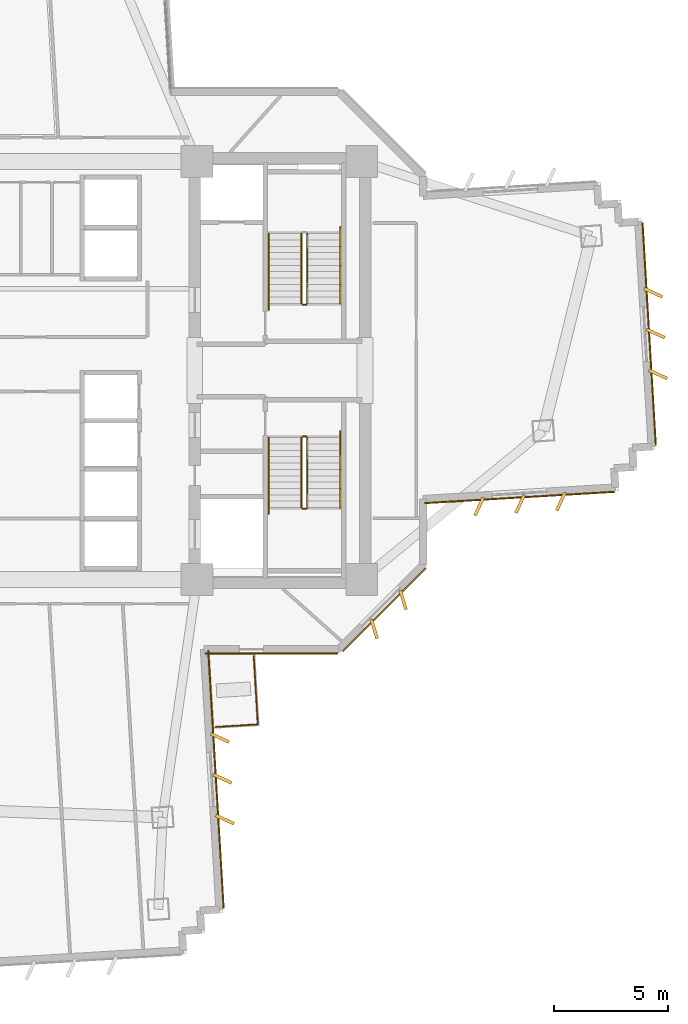
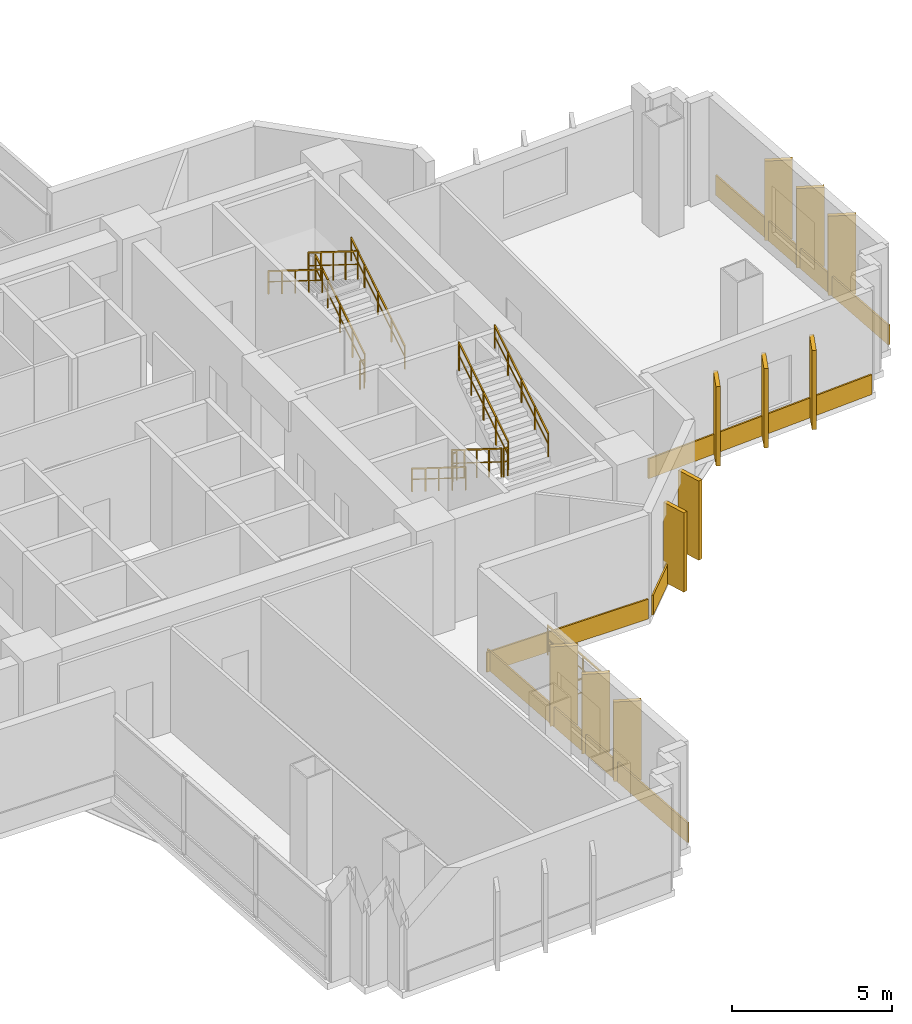
# One storey, part 13 of 15: 16 coverings, 13 railings.
"""IFC4 building model written with IfcOpenShell, lengths in metres."""

from ifc_helpers import new_model, si_unit, direction, frame, origin, origin_2d, place, context, subcontext, project, spatial, rectangle, extrude, source, transform, mapped, material, layer, layer_set, type_object, element, save


model = new_model("IFC4")

# Units and contexts
model_context = context("Model", 3, precision=1e-05, world=origin(), true_north=direction((0.0, 1.0)))
body_context = subcontext(model_context, "Body", "Model", "MODEL_VIEW")
ifc_project = project(units=[si_unit("LENGTHUNIT", "METRE"), si_unit("AREAUNIT", "SQUARE_METRE"), si_unit("VOLUMEUNIT", "CUBIC_METRE"), si_unit("PLANEANGLEUNIT", "RADIAN"), si_unit("MASSUNIT", "GRAM", prefix="KILO")], contexts=[model_context])

# Site, building, storey
site_placement = place(None, origin())
site = spatial("IfcSite", under=ifc_project, at=site_placement, CompositionType="ELEMENT")
building_placement = place(site_placement, origin())
building = spatial("IfcBuilding", under=site, at=building_placement, Name="Zahravan Cultural Tower", CompositionType="ELEMENT")
storey_placement = place(building_placement, frame((0.0, 0.0, 71.10009765625)))
storey = spatial("IfcBuildingStorey", under=building, at=storey_placement, Name="L15", CompositionType="ELEMENT", Elevation=71.10009765625)

# Railings
ifc_material_1 = material(Name="Steel ASTM A572 Grade 50", Category="steel")
railing_type_1 = type_object("IfcRailingType", Name="RL-BAL-1150", PredefinedType="BALUSTRADE", material=ifc_material_1)
railing_1_placement = place(storey_placement, frame((45.776611328125, 11.425537109375, 0.0)))
element("IfcRailing", 1, at=railing_1_placement, inside=storey, type_object=railing_type_1, Name="L15 Edge Balustrade GRD-TR-L15-SE-01", PredefinedType="BALUSTRADE", context=body_context, shape_type="SweptSolid", body=[
    extrude(rectangle(XDim=0.05, YDim=0.05, at=origin_2d()), frame((0.0, 0.0, 1.125), z_axis=(-0.99821980282, -0.059642478635, 0.0), x_axis=(0.059642478635, -0.99821980282, 0.0)), (0.0, 0.0, 1.0), 1.85009765625),
    extrude(rectangle(XDim=0.032, YDim=0.032, at=origin_2d()), frame((0.0, 0.0, 0.597900390625), z_axis=(-0.99821980282, -0.059642478635, 0.0), x_axis=(0.059642478635, -0.99821980282, 0.0)), (0.0, 0.0, 1.0), 1.85009765625),
    extrude(rectangle(XDim=0.04, YDim=0.04, at=origin_2d()), origin(), (0.0, 0.0, 1.0), 1.14990234375),
    extrude(rectangle(XDim=0.04, YDim=0.04, at=origin_2d()), frame((-0.92333984375, -0.05517578125, 0.0)), (0.0, 0.0, 1.0), 1.14990234375),
    extrude(rectangle(XDim=0.04, YDim=0.04, at=origin_2d()), frame((-1.846923828125, -0.1103515625, 0.0)), (0.0, 0.0, 1.0), 1.14990234375),
])
railing_2_placement = place(storey_placement, frame((45.597412109375, 14.419921875, 0.0)))
element("IfcRailing", 2, at=railing_2_placement, inside=storey, type_object=railing_type_1, Name="L15 Edge Balustrade GRD-TR-L15-SE-02", PredefinedType="BALUSTRADE", context=body_context, shape_type="SweptSolid", body=[
    extrude(rectangle(XDim=0.05, YDim=0.05, at=origin_2d()), frame((0.0, 0.0, 1.125), z_axis=(0.059738209015, -0.998214078434, 0.0), x_axis=(0.998214078434, 0.059738209015, 0.0)), (0.0, 0.0, 1.0), 2.999755859375),
    extrude(rectangle(XDim=0.032, YDim=0.032, at=origin_2d()), frame((0.0, 0.0, 0.597900390625), z_axis=(0.059738209015, -0.998214078434, 0.0), x_axis=(0.998214078434, 0.059738209015, 0.0)), (0.0, 0.0, 1.0), 2.999755859375),
    extrude(rectangle(XDim=0.04, YDim=0.04, at=origin_2d()), origin(), (0.0, 0.0, 1.0), 1.14990234375),
    extrude(rectangle(XDim=0.04, YDim=0.04, at=origin_2d()), frame((0.059814453125, -0.998046875, 0.0)), (0.0, 0.0, 1.0), 1.14990234375),
    extrude(rectangle(XDim=0.04, YDim=0.04, at=origin_2d()), frame((0.119384765625, -1.996337890625, 0.0)), (0.0, 0.0, 1.0), 1.14990234375),
    extrude(rectangle(XDim=0.04, YDim=0.04, at=origin_2d()), frame((0.17919921875, -2.994384765625, 0.0)), (0.0, 0.0, 1.0), 1.14990234375),
])
railing_type_2 = type_object("IfcRailingType", Name="RL-STAIR-GRD1150", PredefinedType="BALUSTRADE", material=ifc_material_1)
railing_3_placement = place(storey_placement, frame((47.949951171875, 29.949951171875, 0.1748046875)))
element("IfcRailing", 3, at=railing_3_placement, inside=storey, type_object=railing_type_2, Name="L15 ST-E1 stair guard 1", PredefinedType="BALUSTRADE", context=body_context, shape_type="SweptSolid", body=[
    extrude(rectangle(XDim=0.05, YDim=0.05, at=origin_2d()), frame((0.0, 0.0, 1.0751953125), z_axis=(0.0, 0.847998304005, 0.529998940003), x_axis=(-1.0, 0.0, 0.0)), (0.0, 0.0, 1.0), 3.632080078125),
    extrude(rectangle(XDim=0.032, YDim=0.032, at=origin_2d()), frame((0.0, 0.0, 0.572021484375), z_axis=(0.0, 0.847998304005, 0.529998940003), x_axis=(-1.0, 0.0, 0.0)), (0.0, 0.0, 1.0), 3.632080078125),
    extrude(rectangle(XDim=0.04, YDim=0.04, at=origin_2d()), origin(), (0.0, 0.0, 1.0), 1.10009765625),
    extrude(rectangle(XDim=0.04, YDim=0.04, at=origin_2d()), frame((0.0, 0.77001953125, 0.481201171875)), (0.0, 0.0, 1.0), 1.10009765625),
    extrude(rectangle(XDim=0.04, YDim=0.04, at=origin_2d()), frame((0.0, 1.5400390625, 0.96240234375)), (0.0, 0.0, 1.0), 1.10009765625),
    extrude(rectangle(XDim=0.04, YDim=0.04, at=origin_2d()), frame((0.0, 2.31005859375, 1.44384765625)), (0.0, 0.0, 1.0), 1.10009765625),
    extrude(rectangle(XDim=0.04, YDim=0.04, at=origin_2d()), frame((0.0, 3.080078125, 1.925048828125)), (0.0, 0.0, 1.0), 1.10009765625),
])
railing_4_placement = place(storey_placement, frame((47.699951171875, 33.030029296875, 2.27490234375)))
element("IfcRailing", 4, at=railing_4_placement, inside=storey, type_object=railing_type_2, Name="L15 ST-E1 stair guard 3", PredefinedType="BALUSTRADE", context=body_context, shape_type="SweptSolid", body=[
    extrude(rectangle(XDim=0.05, YDim=0.05, at=origin_2d()), frame((0.0, 0.0, 1.0751953125), z_axis=(0.0, -0.847998304005, 0.529998940003), x_axis=(1.0, 0.0, 0.0)), (0.0, 0.0, 1.0), 3.632080078125),
    extrude(rectangle(XDim=0.032, YDim=0.032, at=origin_2d()), frame((0.0, 0.0, 0.572021484375), z_axis=(0.0, -0.847998304005, 0.529998940003), x_axis=(1.0, 0.0, 0.0)), (0.0, 0.0, 1.0), 3.632080078125),
    extrude(rectangle(XDim=0.04, YDim=0.04, at=origin_2d()), origin(), (0.0, 0.0, 1.0), 1.10009765625),
    extrude(rectangle(XDim=0.04, YDim=0.04, at=origin_2d()), frame((0.0, -0.77001953125, 0.481201171875)), (0.0, 0.0, 1.0), 1.10009765625),
    extrude(rectangle(XDim=0.04, YDim=0.04, at=origin_2d()), frame((0.0, -1.5400390625, 0.96240234375)), (0.0, 0.0, 1.0), 1.10009765625),
    extrude(rectangle(XDim=0.04, YDim=0.04, at=origin_2d()), frame((0.0, -2.31005859375, 1.44384765625)), (0.0, 0.0, 1.0), 1.10009765625),
    extrude(rectangle(XDim=0.04, YDim=0.04, at=origin_2d()), frame((0.0, -3.080078125, 1.925048828125)), (0.0, 0.0, 1.0), 1.10009765625),
])
railing_5_placement = place(storey_placement, frame((47.89990234375, 29.89990234375, 0.0)))
element("IfcRailing", 5, at=railing_5_placement, inside=storey, type_object=railing_type_2, Name="L15 ST-E1 stair guard 4", PredefinedType="BALUSTRADE", context=body_context, shape_type="SweptSolid", body=[
    extrude(rectangle(XDim=0.05, YDim=0.05, at=origin_2d()), frame((0.0, 0.0, 1.0751953125), z_axis=(-1.0, 0.0, 0.0), x_axis=(0.0, -1.0, 0.0)), (0.0, 0.0, 1.0), 0.14990234375),
    extrude(rectangle(XDim=0.032, YDim=0.032, at=origin_2d()), frame((0.0, 0.0, 0.572021484375), z_axis=(-1.0, 0.0, 0.0), x_axis=(0.0, -1.0, 0.0)), (0.0, 0.0, 1.0), 0.14990234375),
    extrude(rectangle(XDim=0.04, YDim=0.04, at=origin_2d()), origin(), (0.0, 0.0, 1.0), 1.10009765625),
    extrude(rectangle(XDim=0.04, YDim=0.04, at=origin_2d()), frame((-0.14990234375, 0.0, 0.0)), (0.0, 0.0, 1.0), 1.10009765625),
])
railing_6_placement = place(storey_placement, frame((47.699951171875, 24.050048828125, 0.1748046875)))
element("IfcRailing", 6, at=railing_6_placement, inside=storey, type_object=railing_type_2, Name="L15 ST-E2 stair guard 1", PredefinedType="BALUSTRADE", context=body_context, shape_type="SweptSolid", body=[
    extrude(rectangle(XDim=0.05, YDim=0.05, at=origin_2d()), frame((0.0, 0.0, 1.0751953125), z_axis=(0.0, -0.847998304005, 0.529998940003), x_axis=(1.0, 0.0, 0.0)), (0.0, 0.0, 1.0), 3.632080078125),
    extrude(rectangle(XDim=0.032, YDim=0.032, at=origin_2d()), frame((0.0, 0.0, 0.572021484375), z_axis=(0.0, -0.847998304005, 0.529998940003), x_axis=(1.0, 0.0, 0.0)), (0.0, 0.0, 1.0), 3.632080078125),
    extrude(rectangle(XDim=0.04, YDim=0.04, at=origin_2d()), origin(), (0.0, 0.0, 1.0), 1.10009765625),
    extrude(rectangle(XDim=0.04, YDim=0.04, at=origin_2d()), frame((0.0, -0.77001953125, 0.481201171875)), (0.0, 0.0, 1.0), 1.10009765625),
    extrude(rectangle(XDim=0.04, YDim=0.04, at=origin_2d()), frame((0.0, -1.5400390625, 0.96240234375)), (0.0, 0.0, 1.0), 1.10009765625),
    extrude(rectangle(XDim=0.04, YDim=0.04, at=origin_2d()), frame((0.0, -2.31005859375, 1.44384765625)), (0.0, 0.0, 1.0), 1.10009765625),
    extrude(rectangle(XDim=0.04, YDim=0.04, at=origin_2d()), frame((0.0, -3.080078125, 1.925048828125)), (0.0, 0.0, 1.0), 1.10009765625),
])
railing_7_placement = place(storey_placement, frame((47.75, 20.919921875, 2.099853515625)))
element("IfcRailing", 7, at=railing_7_placement, inside=storey, type_object=railing_type_2, Name="L15 ST-E2 stair guard 2", PredefinedType="BALUSTRADE", context=body_context, shape_type="SweptSolid", body=[
    extrude(rectangle(XDim=0.05, YDim=0.05, at=origin_2d()), frame((0.0, 0.0, 1.0751953125), z_axis=(1.0, 0.0, 0.0), x_axis=(0.0, 1.0, 0.0)), (0.0, 0.0, 1.0), 0.14990234375),
    extrude(rectangle(XDim=0.032, YDim=0.032, at=origin_2d()), frame((0.0, 0.0, 0.572021484375), z_axis=(1.0, 0.0, 0.0), x_axis=(0.0, 1.0, 0.0)), (0.0, 0.0, 1.0), 0.14990234375),
    extrude(rectangle(XDim=0.04, YDim=0.04, at=origin_2d()), origin(), (0.0, 0.0, 1.0), 1.10009765625),
    extrude(rectangle(XDim=0.04, YDim=0.04, at=origin_2d()), frame((0.14990234375, 0.0, 0.0)), (0.0, 0.0, 1.0), 1.10009765625),
])
railing_8_placement = place(storey_placement, frame((47.949951171875, 20.969970703125, 2.27490234375)))
element("IfcRailing", 8, at=railing_8_placement, inside=storey, type_object=railing_type_2, Name="L15 ST-E2 stair guard 3", PredefinedType="BALUSTRADE", context=body_context, shape_type="SweptSolid", body=[
    extrude(rectangle(XDim=0.05, YDim=0.05, at=origin_2d()), frame((0.0, 0.0, 1.0751953125), z_axis=(0.0, 0.847998304005, 0.529998940003), x_axis=(-1.0, 0.0, 0.0)), (0.0, 0.0, 1.0), 3.632080078125),
    extrude(rectangle(XDim=0.032, YDim=0.032, at=origin_2d()), frame((0.0, 0.0, 0.572021484375), z_axis=(0.0, 0.847998304005, 0.529998940003), x_axis=(-1.0, 0.0, 0.0)), (0.0, 0.0, 1.0), 3.632080078125),
    extrude(rectangle(XDim=0.04, YDim=0.04, at=origin_2d()), origin(), (0.0, 0.0, 1.0), 1.10009765625),
    extrude(rectangle(XDim=0.04, YDim=0.04, at=origin_2d()), frame((0.0, 0.77001953125, 0.481201171875)), (0.0, 0.0, 1.0), 1.10009765625),
    extrude(rectangle(XDim=0.04, YDim=0.04, at=origin_2d()), frame((0.0, 1.5400390625, 0.96240234375)), (0.0, 0.0, 1.0), 1.10009765625),
    extrude(rectangle(XDim=0.04, YDim=0.04, at=origin_2d()), frame((0.0, 2.31005859375, 1.44384765625)), (0.0, 0.0, 1.0), 1.10009765625),
    extrude(rectangle(XDim=0.04, YDim=0.04, at=origin_2d()), frame((0.0, 3.080078125, 1.925048828125)), (0.0, 0.0, 1.0), 1.10009765625),
])
railing_9_placement = place(storey_placement, frame((47.75, 24.10009765625, 0.0)))
element("IfcRailing", 9, at=railing_9_placement, inside=storey, type_object=railing_type_2, Name="L15 ST-E2 stair guard 4", PredefinedType="BALUSTRADE", context=body_context, shape_type="SweptSolid", body=[
    extrude(rectangle(XDim=0.05, YDim=0.05, at=origin_2d()), frame((0.0, 0.0, 1.0751953125), z_axis=(1.0, 0.0, 0.0), x_axis=(0.0, 1.0, 0.0)), (0.0, 0.0, 1.0), 0.14990234375),
    extrude(rectangle(XDim=0.032, YDim=0.032, at=origin_2d()), frame((0.0, 0.0, 0.572021484375), z_axis=(1.0, 0.0, 0.0), x_axis=(0.0, 1.0, 0.0)), (0.0, 0.0, 1.0), 0.14990234375),
    extrude(rectangle(XDim=0.04, YDim=0.04, at=origin_2d()), origin(), (0.0, 0.0, 1.0), 1.10009765625),
    extrude(rectangle(XDim=0.04, YDim=0.04, at=origin_2d()), frame((0.14990234375, 0.0, 0.0)), (0.0, 0.0, 1.0), 1.10009765625),
])
railing_type_3 = type_object("IfcRailingType", Name="RL-STAIR-HR900", PredefinedType="HANDRAIL", material=ifc_material_1)
railing_10_placement = place(storey_placement, frame((49.39990234375, 29.949951171875, 0.1748046875)))
element("IfcRailing", 10, at=railing_10_placement, inside=storey, type_object=railing_type_3, Name="L15 ST-E1 stair handrail 1", PredefinedType="HANDRAIL", context=body_context, shape_type="SweptSolid", body=[
    extrude(rectangle(XDim=0.05, YDim=0.05, at=origin_2d()), frame((0.0, 0.0, 0.875), z_axis=(0.0, 0.847994842521, 0.530004478338), x_axis=(-1.0, 0.0, 0.0)), (0.0, 0.0, 1.0), 3.96240234375),
    extrude(rectangle(XDim=0.032, YDim=0.032, at=origin_2d()), frame((0.0, 0.0, 0.468017578125), z_axis=(0.0, 0.847994842521, 0.530004478338), x_axis=(-1.0, 0.0, 0.0)), (0.0, 0.0, 1.0), 3.96240234375),
    extrude(rectangle(XDim=0.04, YDim=0.04, at=origin_2d()), origin(), (0.0, 0.0, 1.0), 0.89990234375),
    extrude(rectangle(XDim=0.04, YDim=0.04, at=origin_2d()), frame((0.0, 0.840087890625, 0.52490234375)), (0.0, 0.0, 1.0), 0.89990234375),
    extrude(rectangle(XDim=0.04, YDim=0.04, at=origin_2d()), frame((0.0, 1.68017578125, 1.050048828125)), (0.0, 0.0, 1.0), 0.89990234375),
    extrude(rectangle(XDim=0.04, YDim=0.04, at=origin_2d()), frame((0.0, 2.52001953125, 1.5751953125)), (0.0, 0.0, 1.0), 0.89990234375),
    extrude(rectangle(XDim=0.04, YDim=0.04, at=origin_2d()), frame((0.0, 3.360107421875, 2.10009765625)), (0.0, 0.0, 1.0), 0.89990234375),
])
for number, where, name in (
    (11, (46.25, 33.030029296875, 2.27490234375), "L15 ST-E1 stair handrail 2"),
    (12, (46.25, 24.050048828125, 0.1748046875), "L15 ST-E2 stair handrail 1"),
):
    element("IfcRailing", number, at=place(storey_placement, frame(where)), inside=storey, type_object=railing_type_3, Name=name, PredefinedType="HANDRAIL", context=body_context, shape_type="SweptSolid", body=[
        extrude(rectangle(XDim=0.05, YDim=0.05, at=origin_2d()), frame((0.0, 0.0, 0.875), z_axis=(0.0, -0.847994842521, 0.530004478338), x_axis=(1.0, 0.0, 0.0)), (0.0, 0.0, 1.0), 3.96240234375),
        extrude(rectangle(XDim=0.032, YDim=0.032, at=origin_2d()), frame((0.0, 0.0, 0.468017578125), z_axis=(0.0, -0.847994842521, 0.530004478338), x_axis=(1.0, 0.0, 0.0)), (0.0, 0.0, 1.0), 3.96240234375),
        extrude(rectangle(XDim=0.04, YDim=0.04, at=origin_2d()), origin(), (0.0, 0.0, 1.0), 0.89990234375),
        extrude(rectangle(XDim=0.04, YDim=0.04, at=origin_2d()), frame((0.0, -0.840087890625, 0.52490234375)), (0.0, 0.0, 1.0), 0.89990234375),
        extrude(rectangle(XDim=0.04, YDim=0.04, at=origin_2d()), frame((0.0, -1.68017578125, 1.050048828125)), (0.0, 0.0, 1.0), 0.89990234375),
        extrude(rectangle(XDim=0.04, YDim=0.04, at=origin_2d()), frame((0.0, -2.52001953125, 1.5751953125)), (0.0, 0.0, 1.0), 0.89990234375),
        extrude(rectangle(XDim=0.04, YDim=0.04, at=origin_2d()), frame((0.0, -3.360107421875, 2.10009765625)), (0.0, 0.0, 1.0), 0.89990234375),
    ])
railing_11_placement = place(storey_placement, frame((49.39990234375, 20.969970703125, 2.27490234375)))
element("IfcRailing", 13, at=railing_11_placement, inside=storey, type_object=railing_type_3, Name="L15 ST-E2 stair handrail 2", PredefinedType="HANDRAIL", context=body_context, shape_type="SweptSolid", body=[
    extrude(rectangle(XDim=0.05, YDim=0.05, at=origin_2d()), frame((0.0, 0.0, 0.875), z_axis=(0.0, 0.847994842521, 0.530004478338), x_axis=(-1.0, 0.0, 0.0)), (0.0, 0.0, 1.0), 3.96240234375),
    extrude(rectangle(XDim=0.032, YDim=0.032, at=origin_2d()), frame((0.0, 0.0, 0.468017578125), z_axis=(0.0, 0.847994842521, 0.530004478338), x_axis=(-1.0, 0.0, 0.0)), (0.0, 0.0, 1.0), 3.96240234375),
    extrude(rectangle(XDim=0.04, YDim=0.04, at=origin_2d()), origin(), (0.0, 0.0, 1.0), 0.89990234375),
    extrude(rectangle(XDim=0.04, YDim=0.04, at=origin_2d()), frame((0.0, 0.840087890625, 0.52490234375)), (0.0, 0.0, 1.0), 0.89990234375),
    extrude(rectangle(XDim=0.04, YDim=0.04, at=origin_2d()), frame((0.0, 1.68017578125, 1.050048828125)), (0.0, 0.0, 1.0), 0.89990234375),
    extrude(rectangle(XDim=0.04, YDim=0.04, at=origin_2d()), frame((0.0, 2.52001953125, 1.5751953125)), (0.0, 0.0, 1.0), 0.89990234375),
    extrude(rectangle(XDim=0.04, YDim=0.04, at=origin_2d()), frame((0.0, 3.360107421875, 2.10009765625)), (0.0, 0.0, 1.0), 0.89990234375),
])

# Coverings
ifc_material_2 = material(Name="Terracotta ceramic cladding", Category="masonry")
ifc_layer = layer(ifc_material_2, 0.06005859375)
ifc_layer_set = layer_set([ifc_layer], Name="Terracotta ceramic cladding")
covering_type = type_object("IfcCoveringType", Name="COV-CLAD-TC60", PredefinedType="CLADDING", material=ifc_layer_set)
shared_shape_1 = source(origin(), body_context, "Body", "SweptSolid", [
    extrude(rectangle(XDim=9.820068359375, YDim=0.06005859375, at=origin_2d()), origin(), (0.0, 0.0, 1.0), 0.760009765625),
])
covering_1_placement = place(storey_placement, frame((62.996826171875, 28.61328125, 0.02001953125), z_axis=(0.0, 0.0, 1.0), x_axis=(0.05965482139, -0.998219065278, 0.0)))
element("IfcCovering", 14, at=covering_1_placement, inside=storey, type_object=covering_type, Name="L15 Terracotta Spandrel Cladding 06", PredefinedType="CLADDING", context=body_context, shape_type="MappedRepresentation", body=[
    mapped(shared_shape_1, transform((0.0, 0.0, 0.0), x_axis=(1.0, 0.0, 0.0), y_axis=(0.0, 1.0, 0.0), z_axis=(0.0, 0.0, 1.0), scale=1.0)),
])
shared_shape_2 = source(origin(), body_context, "Body", "SweptSolid", [
    extrude(rectangle(XDim=5.157958984375, YDim=0.06005859375, at=origin_2d()), origin(), (0.0, 0.0, 1.0), 0.760009765625),
])
covering_2_placement = place(storey_placement, frame((51.331787109375, 16.46826171875, 0.02001953125), z_axis=(0.0, 0.0, 1.0), x_axis=(-0.707106781187, -0.707106781187, 0.0)))
element("IfcCovering", 15, at=covering_2_placement, inside=storey, type_object=covering_type, Name="L15 Terracotta Spandrel Cladding 13", PredefinedType="CLADDING", context=body_context, shape_type="MappedRepresentation", body=[
    mapped(shared_shape_2, transform((0.0, 0.0, 0.0), x_axis=(1.0, 0.0, 0.0), y_axis=(0.0, 1.0, 0.0), z_axis=(0.0, 0.0, 1.0), scale=1.0)),
])
shared_shape_3 = source(origin(), body_context, "Body", "SweptSolid", [
    extrude(rectangle(XDim=0.8798828125, YDim=0.139892578125, at=origin_2d()), origin(), (0.0, 0.0, 1.0), 3.030029296875),
])
for number, where, z_axis, x_axis, name in (
    (16, (63.174072265625, 30.42724609375, 0.0498046875), (0.0, 0.0, 1.0), (0.909381363059, -0.41596338363, 0.0), "L15 Herringbone Terracotta Fin 04"),
    (17, (63.281494140625, 28.63037109375, 0.0498046875), (0.0, 0.0, 1.0), (0.909381363059, -0.41596338363, 0.0), "L15 Herringbone Terracotta Fin 05"),
    (18, (63.388671875, 26.83349609375, 0.0498046875), (0.0, 0.0, 1.0), (0.909381363059, -0.41596338363, 0.0), "L15 Herringbone Terracotta Fin 06"),
    (19, (59.111083984375, 21.238525390625, 0.0498046875), (0.0, 0.0, 1.0), (-0.41596338363, -0.909381363059, 0.0), "L15 Herringbone Terracotta Fin 07"),
    (20, (57.314208984375, 21.131103515625, 0.0498046875), (0.0, 0.0, 1.0), (-0.41596338363, -0.909381363059, 0.0), "L15 Herringbone Terracotta Fin 08"),
    (21, (55.517578125, 21.023681640625, 0.0498046875), (0.0, 0.0, 1.0), (-0.41596338363, -0.909381363059, 0.0), "L15 Herringbone Terracotta Fin 09"),
    (22, (52.169677734375, 16.903076171875, 0.0498046875), (0.0, 0.0, 1.0), (0.292371704723, -0.956304755963, 0.0), "L15 Herringbone Terracotta Fin 10"),
    (23, (50.89697265625, 15.63037109375, 0.0498046875), (0.0, 0.0, 1.0), (0.292371704723, -0.956304755963, 0.0), "L15 Herringbone Terracotta Fin 11"),
    (24, (44.108642578125, 10.8349609375, 0.0498046875), (0.0, 0.0, 1.0), (0.909381363059, -0.41596338363, 0.0), "L15 Herringbone Terracotta Fin 12"),
    (25, (44.216064453125, 9.0380859375, 0.0498046875), (0.0, 0.0, 1.0), (0.909381363059, -0.41596338363, 0.0), "L15 Herringbone Terracotta Fin 13"),
    (26, (44.323486328125, 7.241455078125, 0.0498046875), (0.0, 0.0, 1.0), (0.909381363059, -0.41596338363, 0.0), "L15 Herringbone Terracotta Fin 14"),
):
    element("IfcCovering", number, at=place(storey_placement, frame(where, z_axis=z_axis, x_axis=x_axis)), inside=storey, type_object=covering_type, Name=name, PredefinedType="CLADDING", context=body_context, shape_type="MappedRepresentation", body=[
        mapped(shared_shape_3, transform((0.0, 0.0, 0.0), x_axis=(1.0, 0.0, 0.0), y_axis=(0.0, 1.0, 0.0), z_axis=(0.0, 0.0, 1.0), scale=1.0)),
    ])
shared_shape_4 = source(origin(), body_context, "Body", "SweptSolid", [
    extrude(rectangle(XDim=8.36767578125, YDim=0.06005859375, at=origin_2d()), origin(), (0.0, 0.0, 1.0), 0.760009765625),
])
covering_3_placement = place(storey_placement, frame((57.29736328125, 21.41552734375, 0.02001953125), z_axis=(0.0, 0.0, 1.0), x_axis=(-0.998219065278, -0.05965482139, 0.0)))
element("IfcCovering", 27, at=covering_3_placement, inside=storey, type_object=covering_type, Name="L15 Terracotta Spandrel Cladding 11", PredefinedType="CLADDING", context=body_context, shape_type="MappedRepresentation", body=[
    mapped(shared_shape_4, transform((0.0, 0.0, 0.0), x_axis=(1.0, 0.0, 0.0), y_axis=(0.0, 1.0, 0.0), z_axis=(0.0, 0.0, 1.0), scale=1.0)),
])
shared_shape_5 = source(origin(), body_context, "Body", "SweptSolid", [
    extrude(rectangle(XDim=5.83740234375, YDim=0.06005859375, at=origin_2d()), origin(), (0.0, 0.0, 1.0), 0.760009765625),
])
covering_4_placement = place(storey_placement, frame((46.373291015625, 14.554931640625, 0.02001953125), z_axis=(0.0, 0.0, 1.0), x_axis=(-1.0, 0.0, 0.0)))
element("IfcCovering", 28, at=covering_4_placement, inside=storey, type_object=covering_type, Name="L15 Terracotta Spandrel Cladding 14", PredefinedType="CLADDING", context=body_context, shape_type="MappedRepresentation", body=[
    mapped(shared_shape_5, transform((0.0, 0.0, 0.0), x_axis=(1.0, 0.0, 0.0), y_axis=(0.0, 1.0, 0.0), z_axis=(0.0, 0.0, 1.0), scale=1.0)),
])
shared_shape_6 = source(origin(), body_context, "Body", "SweptSolid", [
    extrude(rectangle(XDim=11.380126953125, YDim=0.06005859375, at=origin_2d()), origin(), (0.0, 0.0, 1.0), 0.760009765625),
])
covering_5_placement = place(storey_placement, frame((43.931640625, 9.021240234375, 0.02001953125), z_axis=(0.0, 0.0, 1.0), x_axis=(0.05965482139, -0.998219065278, 0.0)))
element("IfcCovering", 29, at=covering_5_placement, inside=storey, type_object=covering_type, Name="L15 Terracotta Spandrel Cladding 15", PredefinedType="CLADDING", context=body_context, shape_type="MappedRepresentation", body=[
    mapped(shared_shape_6, transform((0.0, 0.0, 0.0), x_axis=(1.0, 0.0, 0.0), y_axis=(0.0, 1.0, 0.0), z_axis=(0.0, 0.0, 1.0), scale=1.0)),
])

save(model, "model.ifc")
